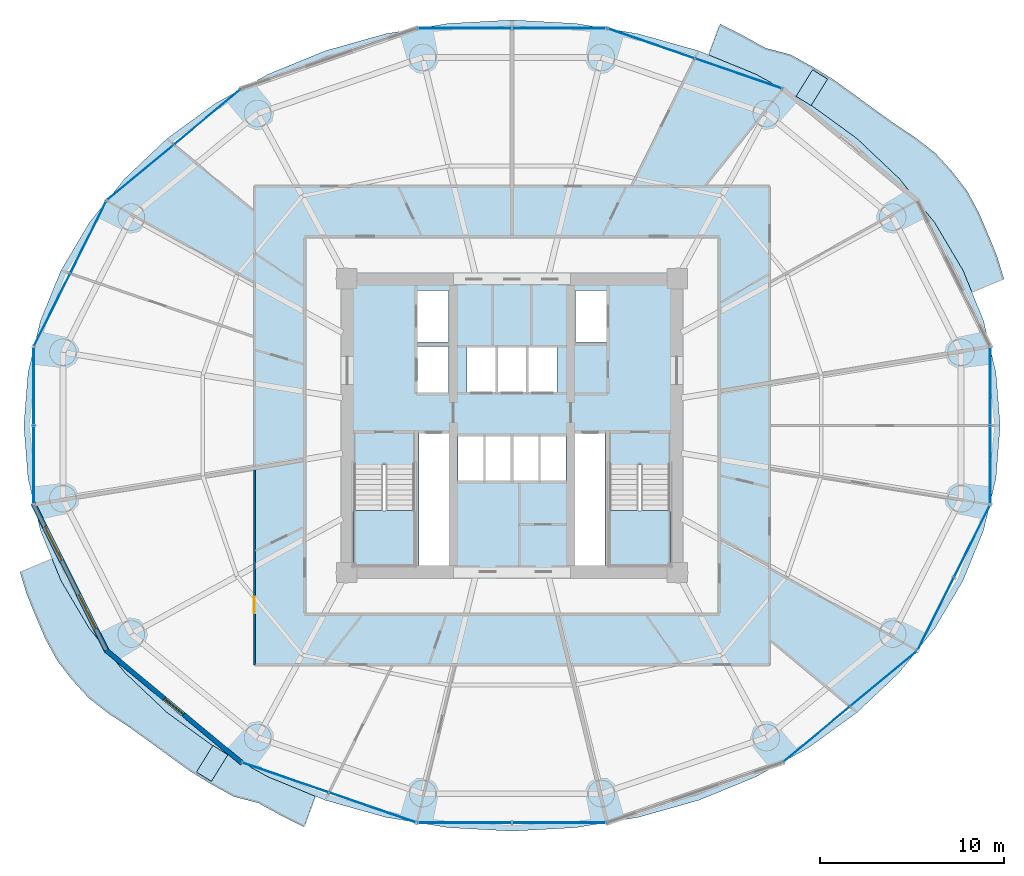
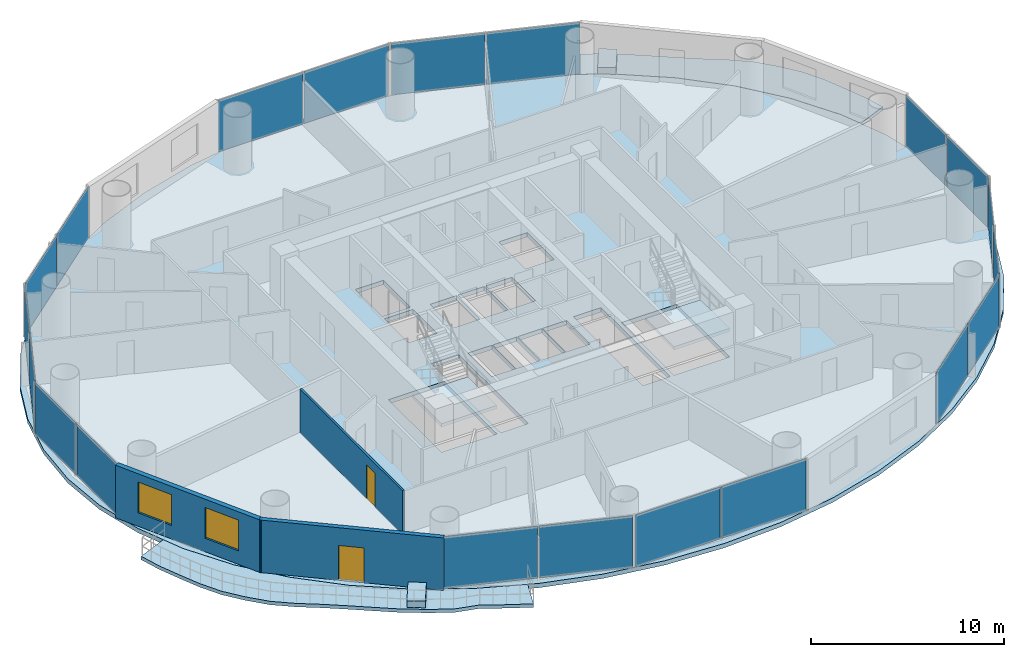
# One storey, part 21 of 29: 20 plates, 7 slabs, 3 walls, 2 doors, 2 windows, 4 openings, 12 elements without a shape of their own.
"""IFC4 building model written with IfcOpenShell, lengths in metres."""

import ifcopenshell
import ifcopenshell.guid

model = None  # the IFC model being written
_history = None  # IfcOwnerHistory: only IFC2X3 demands one
_inside = {}  # id of a spatial element -> (the spatial element, [elements in it])
_under = {}  # id of a project, library or spatial element -> (it, [spatial elements below it])
_declared = {}  # id of a project -> (the project, [libraries it declares])
_typed = {}  # id of a type object -> (the type object, [elements of that type])
_made_of = {}  # id of a material, layer set ... -> (it, [elements and type objects made of it])


def new_model(schema):
    """Start an empty IFC model of exactly this schema.

    Asked for "IFC4X3", IfcOpenShell would pick the latest addendum, in which some entities
    have other attributes; the version numbers below select the first issue.
    IFC2X3 requires an IfcOwnerHistory on every rooted entity: one is made here for all.
    """
    global model, _history
    if schema == "IFC4X3":
        model = ifcopenshell.file(schema_version=(4, 3, 0, 0))
    else:
        model = ifcopenshell.file(schema=schema)
    _inside.clear()
    _under.clear()
    _declared.clear()
    _typed.clear()
    _made_of.clear()
    _history = None
    if model.schema == "IFC2X3":
        org = make("IfcOrganization", Name="unknown")
        user = make(
            "IfcPersonAndOrganization",
            ThePerson=make("IfcPerson", FamilyName="unknown"),
            TheOrganization=org,
        )
        app = make(
            "IfcApplication",
            ApplicationDeveloper=org,
            Version="unknown",
            ApplicationFullName="unknown",
            ApplicationIdentifier="unknown",
        )
        _history = make(
            "IfcOwnerHistory",
            OwningUser=user,
            OwningApplication=app,
            ChangeAction="ADDED",
            CreationDate=0,
        )
    return model


def make(cls, **values):
    """One entity of the class cls with the attributes given. An attribute that is None is left unset."""
    return model.create_entity(
        cls, **{name: value for name, value in values.items() if value is not None}
    )


def rooted(cls, **values):
    """An entity with a GlobalId (a new one), such as an element, a storey or a relation."""
    return make(cls, GlobalId=ifcopenshell.guid.new(), OwnerHistory=_history, **values)


def si_unit(unit_type, name, prefix=None):
    """IfcSIUnit, for example si_unit("LENGTHUNIT", "METRE", prefix="MILLI")."""
    return make("IfcSIUnit", UnitType=unit_type, Prefix=prefix, Name=name)


def assignment(units):
    """IfcUnitAssignment: the units of a project."""
    return None if units is None else make("IfcUnitAssignment", Units=units)


def point(xyz):
    """IfcCartesianPoint."""
    return None if xyz is None else make("IfcCartesianPoint", Coordinates=xyz)


def direction(xyz):
    """IfcDirection."""
    return None if xyz is None else make("IfcDirection", DirectionRatios=xyz)


def frame(location, z_axis=None, x_axis=None):
    """IfcAxis2Placement3D, a coordinate frame: its origin and axes. An axis left out is left unset."""
    return make(
        "IfcAxis2Placement3D",
        Location=point(location),
        Axis=direction(z_axis),
        RefDirection=direction(x_axis),
    )


def frame_2d(location, x_axis=None):
    """IfcAxis2Placement2D, a coordinate frame in the plane: its origin and x axis."""
    return make(
        "IfcAxis2Placement2D", Location=point(location), RefDirection=direction(x_axis)
    )


def origin():
    """The frame at (0, 0, 0) with its axes left unset."""
    return frame((0.0, 0.0, 0.0))


def origin_2d():
    """The frame at (0, 0) in the plane with its x axis left unset."""
    return frame_2d((0.0, 0.0))


def place(relative_to, where):
    """IfcLocalPlacement: puts the frame where relative to a parent placement (None: the world)."""
    return make(
        "IfcLocalPlacement", PlacementRelTo=relative_to, RelativePlacement=where
    )


def context(
    kind, dimensions, precision=None, world=None, true_north=None, identifier=None
):
    """IfcGeometricRepresentationContext, for example the 3D "Model" context."""
    return make(
        "IfcGeometricRepresentationContext",
        ContextIdentifier=identifier,
        ContextType=kind,
        CoordinateSpaceDimension=dimensions,
        Precision=precision,
        WorldCoordinateSystem=world,
        TrueNorth=true_north,
    )


def subcontext(parent, identifier, kind, view, scale=None):
    """IfcGeometricRepresentationSubContext, for example "Body" below "Model"."""
    return make(
        "IfcGeometricRepresentationSubContext",
        ContextIdentifier=identifier,
        ContextType=kind,
        ParentContext=parent,
        TargetScale=scale,
        TargetView=view,
    )


def project(units=None, contexts=None):
    """IfcProject with its units and contexts."""
    return rooted(
        "IfcProject",
        Name="project",
        RepresentationContexts=contexts,
        UnitsInContext=assignment(units),
    )


def spatial(cls, under=None, at=None, **own):
    """A site, building, storey or space (cls), placed at a placement, below another one or the project."""
    s = rooted(cls, ObjectPlacement=at, **own)
    if under is not None:
        _under.setdefault(under.id(), (under, []))[1].append(s)
    return s


def polyline(points):
    """IfcPolyline through the points."""
    return make("IfcPolyline", Points=[point(p) for p in points])


def profile(cls, at=None, kind="AREA", **sizes):
    """A parametric profile (cls). Its sizes go by their IFC names, for example OverallWidth=200.0."""
    return make(cls, ProfileType=kind, Position=at, **sizes)


def rectangle(**sizes):
    """IfcRectangleProfileDef."""
    return profile("IfcRectangleProfileDef", **sizes)


def outline(outer, holes=None, kind="AREA"):
    """IfcArbitraryClosedProfileDef: a profile drawn as a closed curve; with holes, ...WithVoids."""
    if holes is None:
        return make("IfcArbitraryClosedProfileDef", ProfileType=kind, OuterCurve=outer)
    return make(
        "IfcArbitraryProfileDefWithVoids",
        ProfileType=kind,
        OuterCurve=outer,
        InnerCurves=holes,
    )


def extrude(swept, where, along, depth):
    """IfcExtrudedAreaSolid: the profile swept, set in the frame where, extruded along a direction by depth."""
    return make(
        "IfcExtrudedAreaSolid",
        SweptArea=swept,
        Position=where,
        ExtrudedDirection=direction(along),
        Depth=depth,
    )


def shape(context_of_items, identifier, shape_type, items):
    """IfcShapeRepresentation: the items that make up one representation, for example the "Body"."""
    return make(
        "IfcShapeRepresentation",
        ContextOfItems=context_of_items,
        RepresentationIdentifier=identifier,
        RepresentationType=shape_type,
        Items=items,
    )


def source(mapping_origin, context_of_items, identifier, shape_type, items):
    """IfcRepresentationMap: a shape defined once, which mapped items show again and again."""
    return make(
        "IfcRepresentationMap",
        MappingOrigin=mapping_origin,
        MappedRepresentation=shape(context_of_items, identifier, shape_type, items),
    )


def transform(
    local_origin,
    x_axis=None,
    y_axis=None,
    z_axis=None,
    scale=None,
    scale2=None,
    scale3=None,
    uniform=True,
):
    """IfcCartesianTransformationOperator3D, or its non-uniform kind. x_axis, y_axis, z_axis: its Axis1, 2, 3."""
    if uniform:
        return make(
            "IfcCartesianTransformationOperator3D",
            Axis1=direction(x_axis),
            Axis2=direction(y_axis),
            LocalOrigin=point(local_origin),
            Scale=scale,
            Axis3=direction(z_axis),
        )
    return make(
        "IfcCartesianTransformationOperator3DnonUniform",
        Axis1=direction(x_axis),
        Axis2=direction(y_axis),
        LocalOrigin=point(local_origin),
        Scale=scale,
        Axis3=direction(z_axis),
        Scale2=scale2,
        Scale3=scale3,
    )


def mapped(mapping_source, mapping_target):
    """IfcMappedItem: shows the shape of a source again, moved by a transform."""
    return make(
        "IfcMappedItem", MappingSource=mapping_source, MappingTarget=mapping_target
    )


def material(Name=None, Category=None):
    """IfcMaterial."""
    return make("IfcMaterial", Name=Name, Category=Category)


def layer(
    of_material, thickness, ventilated=None, Name=None, Category=None, Priority=None
):
    """IfcMaterialLayer: one layer of a wall or slab, of a material (None: an air gap)."""
    return make(
        "IfcMaterialLayer",
        Material=of_material,
        LayerThickness=thickness,
        IsVentilated=ventilated,
        Name=Name,
        Category=Category,
        Priority=Priority,
    )


def layer_set(layers, Name=None):
    """IfcMaterialLayerSet."""
    return make("IfcMaterialLayerSet", MaterialLayers=layers, LayerSetName=Name)


def made_of(thing, what):
    """Note that an element or type object is made of a material, layer set ...; save() writes the relation."""
    if what is not None:
        _made_of.setdefault(what.id(), (what, []))[1].append(thing)
    return thing


def type_object(cls, material=None, **own):
    """A type object (cls), such as IfcWallType, which elements share."""
    return made_of(rooted(cls, **own), material)


def element(
    cls,
    number,
    at=None,
    inside=None,
    cuts=None,
    type_object=None,
    material=None,
    context=None,
    identifier="Body",
    shape_type=None,
    held_by="IfcProductDefinitionShape",
    body=None,
    shapes=None,
    **own,
):
    """One element of the class cls, such as IfcWall. Its Tag is "e" and its number.

    at: its placement. inside: the storey or other place that contains it. cuts: it is an
    opening in that element (IfcRelVoidsElement). A single representation is given by context,
    identifier, shape_type and body (its items); several are given by shapes. held_by: the class
    of the entity that holds the representations. save() writes the other relations.
    """
    e = rooted(cls, Tag="e%d" % number, ObjectPlacement=at, **own)
    if body is not None:
        shapes = [shape(context, identifier, shape_type, body)]
    if shapes is not None:
        e.Representation = make(held_by, Representations=shapes)
    if inside is not None:
        _inside.setdefault(inside.id(), (inside, []))[1].append(e)
    if cuts is not None:
        rooted(
            "IfcRelVoidsElement", RelatingBuildingElement=cuts, RelatedOpeningElement=e
        )
    if type_object is not None:
        _typed.setdefault(type_object.id(), (type_object, []))[1].append(e)
    return made_of(e, material)


def fill(opening, filler):
    """IfcRelFillsElement: the door or window that sits in an opening."""
    return rooted(
        "IfcRelFillsElement",
        RelatingOpeningElement=opening,
        RelatedBuildingElement=filler,
    )


def aggregate(whole, parts):
    """IfcRelAggregates: a whole, such as a stair, and the parts it consists of."""
    return rooted("IfcRelAggregates", RelatingObject=whole, RelatedObjects=parts)


def save(model, path):
    """Write the relations noted so far, then the file.

    IfcRelAggregates (storeys below a building ...), IfcRelContainedInSpatialStructure (elements
    in a storey), IfcRelDefinesByType, IfcRelAssociatesMaterial and IfcRelDeclares: one each for
    every whole, place, type object, material and project.
    """
    for whole, parts in _under.values():
        aggregate(whole, parts)
    for where, things in _inside.values():
        rooted(
            "IfcRelContainedInSpatialStructure",
            RelatedElements=things,
            RelatingStructure=where,
        )
    for kind, things in _typed.values():
        rooted("IfcRelDefinesByType", RelatedObjects=things, RelatingType=kind)
    for what, things in _made_of.values():
        rooted("IfcRelAssociatesMaterial", RelatedObjects=things, RelatingMaterial=what)
    for by, libraries in _declared.values():
        rooted("IfcRelDeclares", RelatingContext=by, RelatedDefinitions=libraries)
    model.write(path)


model = new_model("IFC4")

# Units and contexts
model_context = context("Model", 3, precision=1e-05, world=origin(), true_north=direction((-0.2419218956, 0.970295726276)))
body_context = subcontext(model_context, "Body", "Model", "MODEL_VIEW")
ifc_project = project(units=[si_unit("LENGTHUNIT", "METRE"), si_unit("AREAUNIT", "SQUARE_METRE"), si_unit("VOLUMEUNIT", "CUBIC_METRE"), si_unit("PLANEANGLEUNIT", "RADIAN"), si_unit("MASSUNIT", "GRAM", prefix="KILO")], contexts=[model_context])

# Site, building, storey
site_placement = place(None, origin())
site = spatial("IfcSite", under=ifc_project, at=site_placement, CompositionType="ELEMENT")
building_placement = place(site_placement, origin())
building = spatial("IfcBuilding", under=site, at=building_placement, Name="Cobrevalo Terracotta Tower", CompositionType="ELEMENT")
storey_placement = place(building_placement, frame((0.0, 0.0, 79.800048828125)))
storey = spatial("IfcBuildingStorey", under=building, at=storey_placement, Name="L20", CompositionType="ELEMENT", Elevation=79.800048828125)

# Stair, slab
ifc_material_1 = material(Name="Concrete C50", Category="concrete")
stair_type = type_object("IfcStairType", Name="Core protected escape dogleg stair 1600", PredefinedType="HALF_TURN_STAIR", material=ifc_material_1)
stair_1_placement = place(storey_placement, origin())
stair_1 = element("IfcStair", 1, at=stair_1_placement, inside=storey, type_object=stair_type, Name="L20 Protected exit stair ST-1", PredefinedType="HALF_TURN_STAIR")
ifc_layer_1 = layer(ifc_material_1, 0.199951171875)
ifc_layer_set_1 = layer_set([ifc_layer_1], Name="Concrete C50")
slab_type_1 = type_object("IfcSlabType", Name="Reinforced Concrete Stair Landing 200", PredefinedType="LANDING", material=ifc_layer_set_1)
slab_1_placement = place(storey_placement, frame((0.0, 0.0, 1.599853515625)))
slab_1 = element("IfcSlab", 2, at=slab_1_placement, type_object=slab_type_1, Name="ST-1 landing 1", PredefinedType="LANDING", context=body_context, shape_type="SweptSolid", body=[
    extrude(outline(polyline([(29.375, 22.179931640625), (29.375, 19.175048828125), (32.695068359375, 19.175048828125), (32.695068359375, 22.179931640625), (29.375, 22.179931640625)])), origin(), (0.0, 0.0, 1.0), 0.2001953125),
])
aggregate(stair_1, [slab_1])

stair_2_placement = place(storey_placement, origin())
stair_2 = element("IfcStair", 3, at=stair_2_placement, inside=storey, type_object=stair_type, Name="L20 Protected exit stair ST-2", PredefinedType="HALF_TURN_STAIR")
slab_2_placement = place(storey_placement, frame((0.0, 0.0, 1.599853515625)))
slab_2 = element("IfcSlab", 4, at=slab_2_placement, type_object=slab_type_1, Name="ST-2 landing 1", PredefinedType="LANDING", context=body_context, shape_type="SweptSolid", body=[
    extrude(outline(polyline([(43.304931640625, 22.179931640625), (43.304931640625, 19.175048828125), (46.625, 19.175048828125), (46.625, 22.179931640625), (43.304931640625, 22.179931640625)])), origin(), (0.0, 0.0, 1.0), 0.2001953125),
])
aggregate(stair_2, [slab_2])

# Slabs
ifc_material_2 = material(Name="Concrete C45", Category="concrete")
ifc_layer_2 = layer(ifc_material_2, 0.219970703125)
ifc_layer_set_2 = layer_set([ifc_layer_2], Name="Concrete C45")
slab_type_2 = type_object("IfcSlabType", Name="Spiralling cantilevered balcony lobe slab 220 mm", PredefinedType="FLOOR", material=ifc_layer_set_2)
slab_3_placement = place(storey_placement, frame((0.0, 0.0, -0.219970703125)))
element("IfcSlab", 5, at=slab_3_placement, inside=storey, type_object=slab_type_2, Name="L20 spiralling arc balcony slab lobe 1", PredefinedType="FLOOR", context=body_context, shape_type="SweptSolid", body=[
    extrude(outline(polyline([(64.810302734375, 34.783447265625), (64.434326171875, 36.0087890625), (63.944091796875, 37.216064453125), (63.42236328125, 38.4296875), (62.788818359375, 39.59619140625), (61.968017578125, 40.658935546875), (61.063720703125, 41.6474609375), (59.9873046875, 42.48779296875), (58.84716796875, 43.242919921875), (57.75341796875, 44.02490234375), (56.656005859375, 44.82763671875), (55.55712890625, 45.625732421875), (54.38525390625, 46.341552734375), (53.176025390625, 47.01318359375), (51.816162109375, 47.370361328125), (50.592529296875, 48.04833984375), (49.33642578125, 48.677490234375), (48.720947265625, 46.998046875), (51.301025390625, 45.94091796875), (54.1943359375, 44.334716796875), (56.810546875, 42.428466796875), (59.104736328125, 40.2548828125), (61.0380859375, 37.85107421875), (62.5771484375, 35.258056640625), (63.069091796875, 34.0537109375), (64.810302734375, 34.783447265625)])), origin(), (0.0, 0.0, 1.0), 0.219970703125),
])
slab_4_placement = place(storey_placement, frame((0.0, 0.0, -0.219970703125)))
element("IfcSlab", 6, at=slab_4_placement, inside=storey, type_object=slab_type_2, Name="L20 spiralling arc balcony slab lobe 2", PredefinedType="FLOOR", context=body_context, shape_type="SweptSolid", body=[
    extrude(outline(polyline([(11.189697265625, 18.816650390625), (11.565673828125, 17.591064453125), (12.055908203125, 16.384033203125), (12.57763671875, 15.17041015625), (13.211181640625, 14.003662109375), (14.031982421875, 12.94091796875), (14.936279296875, 11.952392578125), (16.0126953125, 11.1123046875), (17.15283203125, 10.357177734375), (18.24658203125, 9.5751953125), (19.343994140625, 8.7724609375), (20.44287109375, 7.97412109375), (21.61474609375, 7.258544921875), (22.823974609375, 6.586669921875), (24.183837890625, 6.229736328125), (25.407470703125, 5.5517578125), (26.66357421875, 4.92236328125), (27.279052734375, 6.60205078125), (24.698974609375, 7.6591796875), (21.8056640625, 9.265380859375), (19.189453125, 11.171630859375), (16.895263671875, 13.34521484375), (14.9619140625, 15.7490234375), (13.4228515625, 18.342041015625), (12.930908203125, 19.54638671875), (11.189697265625, 18.816650390625)])), origin(), (0.0, 0.0, 1.0), 0.219970703125),
])
ifc_material_3 = material(Name="Precast concrete C45", Category="concrete")
ifc_layer_3 = layer(ifc_material_3, 0.419921875)
ifc_layer_set_3 = layer_set([ifc_layer_3], Name="Precast concrete C45")
slab_type_3 = type_object("IfcSlabType", Name="Structural tree planter trough base 420 mm", PredefinedType="USERDEFINED", material=ifc_layer_set_3)
slab_5_placement = place(storey_placement, origin())
element("IfcSlab", 7, at=slab_5_placement, inside=storey, type_object=slab_type_3, Name="L20 structural tree planter trough 1", ObjectType="PLANTER", PredefinedType="USERDEFINED", context=body_context, shape_type="SweptSolid", body=[
    extrude(outline(polyline([(54.29833984375, 44.235107421875), (55.19384765625, 45.679931640625), (54.3779296875, 46.185791015625), (53.482421875, 44.740966796875), (54.29833984375, 44.235107421875)])), origin(), (0.0, 0.0, 1.0), 0.419921875),
])
slab_6_placement = place(storey_placement, origin())
element("IfcSlab", 8, at=slab_6_placement, inside=storey, type_object=slab_type_3, Name="L20 structural tree planter trough 2", ObjectType="PLANTER", PredefinedType="USERDEFINED", context=body_context, shape_type="SweptSolid", body=[
    extrude(outline(polyline([(21.70166015625, 9.364990234375), (20.80615234375, 7.919921875), (21.6220703125, 7.414306640625), (22.517578125, 8.859130859375), (21.70166015625, 9.364990234375)])), origin(), (0.0, 0.0, 1.0), 0.419921875),
])
ifc_layer_4 = layer(ifc_material_1, 0.27490234375)
ifc_layer_set_4 = layer_set([ifc_layer_4], Name="Concrete C50")
slab_type_4 = type_object("IfcSlabType", Name="Zone Z2 elliptical floor plate 275 mm", PredefinedType="FLOOR", material=ifc_layer_set_4)
slab_7_placement = place(storey_placement, frame((0.0, 0.0, -0.275146484375)))
element("IfcSlab", 9, at=slab_7_placement, inside=storey, type_object=slab_type_4, Name="L20 indoor elliptical floor slab", PredefinedType="FLOOR", context=body_context, shape_type="SweptSolid", body=[
    extrude(outline(polyline([(64.372314453125, 23.915283203125), (63.693603515625, 21.080078125), (62.5751953125, 18.3427734375), (61.036376953125, 15.75), (59.103271484375, 13.346435546875), (56.80908203125, 11.1728515625), (54.193115234375, 9.266845703125), (51.300048828125, 7.660888671875), (48.179443359375, 6.38232421875), (44.884521484375, 5.453125), (41.471923828125, 4.88916015625), (38.0, 4.699951171875), (34.528076171875, 4.88916015625), (31.115478515625, 5.453125), (27.820556640625, 6.38232421875), (24.699951171875, 7.660888671875), (21.806884765625, 9.266845703125), (19.19091796875, 11.1728515625), (16.896728515625, 13.346435546875), (14.963623046875, 15.75), (13.4248046875, 18.3427734375), (12.306396484375, 21.080078125), (11.627685546875, 23.915283203125), (11.39990234375, 26.800048828125), (11.627685546875, 29.6845703125), (12.306396484375, 32.52001953125), (13.4248046875, 35.25732421875), (14.963623046875, 37.85009765625), (16.896728515625, 40.253662109375), (19.19091796875, 42.427001953125), (21.806884765625, 44.3330078125), (24.699951171875, 45.939208984375), (27.820556640625, 47.2177734375), (31.115478515625, 48.14697265625), (34.528076171875, 48.7109375), (38.0, 48.89990234375), (41.471923828125, 48.7109375), (44.884521484375, 48.14697265625), (48.179443359375, 47.2177734375), (51.300048828125, 45.939208984375), (54.193115234375, 44.3330078125), (56.80908203125, 42.427001953125), (59.103271484375, 40.253662109375), (61.036376953125, 37.85009765625), (62.5751953125, 35.25732421875), (63.693603515625, 32.52001953125), (64.372314453125, 29.6845703125), (64.60009765625, 26.800048828125), (64.372314453125, 23.915283203125)]), holes=[polyline([(32.695068359375, 19.175048828125), (32.695068359375, 24.659912109375), (29.375, 24.659912109375), (29.375, 19.175048828125), (32.695068359375, 19.175048828125)]), polyline([(34.574951171875, 19.175048828125), (34.574951171875, 26.360107421875), (32.919921875, 26.360107421875), (32.919921875, 19.175048828125), (34.574951171875, 19.175048828125)]), polyline([(36.47998046875, 23.800048828125), (36.47998046875, 26.25), (35.050048828125, 26.25), (35.050048828125, 23.800048828125), (36.47998046875, 23.800048828125)]), polyline([(37.9599609375, 23.800048828125), (37.9599609375, 26.25), (36.530029296875, 26.25), (36.530029296875, 23.800048828125), (37.9599609375, 23.800048828125)]), polyline([(37.1201171875, 28.60009765625), (37.1201171875, 31.050048828125), (35.550048828125, 31.050048828125), (35.550048828125, 28.60009765625), (37.1201171875, 28.60009765625)]), polyline([(34.550048828125, 28.60009765625), (34.550048828125, 31.10009765625), (32.85009765625, 31.10009765625), (32.85009765625, 28.60009765625), (34.550048828125, 28.60009765625)]), polyline([(34.550048828125, 31.35009765625), (34.550048828125, 34.14990234375), (32.85009765625, 34.14990234375), (32.85009765625, 31.35009765625), (34.550048828125, 31.35009765625)]), polyline([(46.625, 19.175048828125), (46.625, 24.659912109375), (43.304931640625, 24.659912109375), (43.304931640625, 19.175048828125), (46.625, 19.175048828125)]), polyline([(43.080078125, 19.175048828125), (43.080078125, 26.360107421875), (41.425048828125, 26.360107421875), (41.425048828125, 19.175048828125), (43.080078125, 19.175048828125)]), polyline([(39.469970703125, 23.800048828125), (39.469970703125, 26.25), (38.0400390625, 26.25), (38.0400390625, 23.800048828125), (39.469970703125, 23.800048828125)]), polyline([(40.949951171875, 23.800048828125), (40.949951171875, 26.25), (39.52001953125, 26.25), (39.52001953125, 23.800048828125), (40.949951171875, 23.800048828125)]), polyline([(38.780029296875, 28.60009765625), (38.780029296875, 31.050048828125), (37.219970703125, 31.050048828125), (37.219970703125, 28.60009765625), (38.780029296875, 28.60009765625)]), polyline([(40.449951171875, 28.60009765625), (40.449951171875, 31.050048828125), (38.8798828125, 31.050048828125), (38.8798828125, 28.60009765625), (40.449951171875, 28.60009765625)]), polyline([(43.14990234375, 31.35009765625), (43.14990234375, 34.14990234375), (41.449951171875, 34.14990234375), (41.449951171875, 31.35009765625), (43.14990234375, 31.35009765625)])]), origin(), (0.0, 0.0, 1.0), 0.275146484375),
])

# Curtain wall, plates
ifc_material_4 = material(Name="Anodized aluminium", Category="aluminium")
curtain_wall_type = type_object("IfcCurtainWallType", Name="Lower-tower unitised acoustic low-E curtain wall CW-U1", PredefinedType="NOTDEFINED", material=ifc_material_4)
curtain_wall_1_placement = place(storey_placement, origin())
curtain_wall_1 = element("IfcCurtainWall", 10, at=curtain_wall_1_placement, inside=storey, type_object=curtain_wall_type, Name="L20 curtain wall CW-L20-S03", PredefinedType="NOTDEFINED")
ifc_material_5 = material(Name="Solar-control low-E double glazing", Category="glass")
ifc_layer_5 = layer(ifc_material_5, 0.028076171875)
ifc_layer_set_5 = layer_set([ifc_layer_5], Name="Solar-control low-E double glazing")
plate_type = type_object("IfcPlateType", Name="Tower solar-control low-E vision glass panel 28 mm", PredefinedType="CURTAIN_PANEL", material=ifc_layer_set_5)
shared_shape_1 = source(origin(), body_context, "Body", "SweptSolid", [
    extrude(rectangle(XDim=4.944580078125, YDim=0.035888671875, at=origin_2d()), origin(), (0.0, 0.0, 1.0), 3.2451171875),
])
plate_1_placement = place(storey_placement, frame((50.34814453125, 45.98095703125, 0.039794921875), z_axis=(0.0, 0.0, 1.0), x_axis=(-0.945596395206, 0.325342062104, 0.0)))
plate_1 = element("IfcPlate", 11, at=plate_1_placement, type_object=plate_type, Name="CW-L20-S03 glazing panel B01", PredefinedType="CURTAIN_PANEL", context=body_context, shape_type="MappedRepresentation", body=[
    mapped(shared_shape_1, transform((0.0, 0.0, 0.0), scale=1.0)),
])
plate_2_placement = place(storey_placement, frame((45.596923828125, 47.615478515625, 0.039794921875), z_axis=(0.0, 0.0, 1.0), x_axis=(-0.945596395206, 0.325342062104, 0.0)))
plate_2 = element("IfcPlate", 12, at=plate_2_placement, type_object=plate_type, Name="CW-L20-S03 glazing panel B02", PredefinedType="CURTAIN_PANEL", context=body_context, shape_type="MappedRepresentation", body=[
    mapped(shared_shape_1, transform((0.0, 0.0, 0.0), scale=1.0)),
])
aggregate(curtain_wall_1, [plate_1, plate_2])

curtain_wall_2_placement = place(storey_placement, origin())
curtain_wall_2 = element("IfcCurtainWall", 13, at=curtain_wall_2_placement, inside=storey, type_object=curtain_wall_type, Name="L20 curtain wall CW-L20-S11", PredefinedType="NOTDEFINED")
plate_3_placement = place(storey_placement, frame((25.65185546875, 7.619140625, 0.039794921875), z_axis=(0.0, 0.0, 1.0), x_axis=(0.945596395206, -0.325342062104, 0.0)))
plate_3 = element("IfcPlate", 14, at=plate_3_placement, type_object=plate_type, Name="CW-L20-S11 glazing panel B01", PredefinedType="CURTAIN_PANEL", context=body_context, shape_type="MappedRepresentation", body=[
    mapped(shared_shape_1, transform((0.0, 0.0, 0.0), scale=1.0)),
])
plate_4_placement = place(storey_placement, frame((30.403076171875, 5.984375, 0.039794921875), z_axis=(0.0, 0.0, 1.0), x_axis=(0.945596395206, -0.325342062104, 0.0)))
plate_4 = element("IfcPlate", 15, at=plate_4_placement, type_object=plate_type, Name="CW-L20-S11 glazing panel B02", PredefinedType="CURTAIN_PANEL", context=body_context, shape_type="MappedRepresentation", body=[
    mapped(shared_shape_1, transform((0.0, 0.0, 0.0), scale=1.0)),
])
aggregate(curtain_wall_2, [plate_3, plate_4])

curtain_wall_3_placement = place(storey_placement, origin())
curtain_wall_3 = element("IfcCurtainWall", 16, at=curtain_wall_3_placement, inside=storey, type_object=curtain_wall_type, Name="L20 curtain wall CW-L20-S04", PredefinedType="NOTDEFINED")
shared_shape_2 = source(origin(), body_context, "Body", "SweptSolid", [
    extrude(rectangle(XDim=5.0634765625, YDim=0.035888671875, at=origin_2d()), origin(), (0.0, 0.0, 1.0), 3.2451171875),
])
plate_5_placement = place(storey_placement, frame((40.57177734375, 48.446044921875, 0.039794921875), z_axis=(0.0, 0.0, 1.0), x_axis=(-1.0, 0.0, 0.0)))
plate_5 = element("IfcPlate", 17, at=plate_5_placement, type_object=plate_type, Name="CW-L20-S04 glazing panel B01", PredefinedType="CURTAIN_PANEL", context=body_context, shape_type="MappedRepresentation", body=[
    mapped(shared_shape_2, transform((0.0, 0.0, 0.0), scale=1.0)),
])
plate_6_placement = place(storey_placement, frame((35.42822265625, 48.446044921875, 0.039794921875), z_axis=(0.0, 0.0, 1.0), x_axis=(-1.0, 0.0, 0.0)))
plate_6 = element("IfcPlate", 18, at=plate_6_placement, type_object=plate_type, Name="CW-L20-S04 glazing panel B02", PredefinedType="CURTAIN_PANEL", context=body_context, shape_type="MappedRepresentation", body=[
    mapped(shared_shape_2, transform((0.0, 0.0, 0.0), scale=1.0)),
])
aggregate(curtain_wall_3, [plate_5, plate_6])

curtain_wall_4_placement = place(storey_placement, origin())
curtain_wall_4 = element("IfcCurtainWall", 19, at=curtain_wall_4_placement, inside=storey, type_object=curtain_wall_type, Name="L20 curtain wall CW-L20-S12", PredefinedType="NOTDEFINED")
plate_7_placement = place(storey_placement, frame((35.42822265625, 5.154052734375, 0.039794921875), z_axis=(0.0, 0.0, 1.0), x_axis=(1.0, 0.0, 0.0)))
plate_7 = element("IfcPlate", 20, at=plate_7_placement, type_object=plate_type, Name="CW-L20-S12 glazing panel B01", PredefinedType="CURTAIN_PANEL", context=body_context, shape_type="MappedRepresentation", body=[
    mapped(shared_shape_2, transform((0.0, 0.0, 0.0), scale=1.0)),
])
plate_8_placement = place(storey_placement, frame((40.57177734375, 5.154052734375, 0.039794921875), z_axis=(0.0, 0.0, 1.0), x_axis=(1.0, 0.0, 0.0)))
plate_8 = element("IfcPlate", 21, at=plate_8_placement, type_object=plate_type, Name="CW-L20-S12 glazing panel B02", PredefinedType="CURTAIN_PANEL", context=body_context, shape_type="MappedRepresentation", body=[
    mapped(shared_shape_2, transform((0.0, 0.0, 0.0), scale=1.0)),
])
aggregate(curtain_wall_4, [plate_7, plate_8])

curtain_wall_5_placement = place(storey_placement, origin())
curtain_wall_5 = element("IfcCurtainWall", 22, at=curtain_wall_5_placement, inside=storey, type_object=curtain_wall_type, Name="L20 curtain wall CW-L20-S06", PredefinedType="NOTDEFINED")
shared_shape_3 = source(origin(), body_context, "Body", "SweptSolid", [
    extrude(rectangle(XDim=4.64501953125, YDim=0.035888671875, at=origin_2d()), origin(), (0.0, 0.0, 1.0), 3.2451171875),
])
plate_9_placement = place(storey_placement, frame((21.390380859375, 43.615478515625, 0.039794921875), z_axis=(0.0, 0.0, 1.0), x_axis=(-0.769241221277, -0.638958483384, 0.0)))
plate_9 = element("IfcPlate", 23, at=plate_9_placement, type_object=plate_type, Name="CW-L20-S06 glazing panel B01", PredefinedType="CURTAIN_PANEL", context=body_context, shape_type="MappedRepresentation", body=[
    mapped(shared_shape_3, transform((0.0, 0.0, 0.0), scale=1.0)),
])
plate_10_placement = place(storey_placement, frame((17.755859375, 40.596435546875, 0.039794921875), z_axis=(0.0, 0.0, 1.0), x_axis=(-0.769241221277, -0.638958483384, 0.0)))
plate_10 = element("IfcPlate", 24, at=plate_10_placement, type_object=plate_type, Name="CW-L20-S06 glazing panel B02", PredefinedType="CURTAIN_PANEL", context=body_context, shape_type="MappedRepresentation", body=[
    mapped(shared_shape_3, transform((0.0, 0.0, 0.0), scale=1.0)),
])
aggregate(curtain_wall_5, [plate_9, plate_10])

curtain_wall_6_placement = place(storey_placement, origin())
curtain_wall_6 = element("IfcCurtainWall", 25, at=curtain_wall_6_placement, inside=storey, type_object=curtain_wall_type, Name="L20 curtain wall CW-L20-S14", PredefinedType="NOTDEFINED")
plate_11_placement = place(storey_placement, frame((54.609619140625, 9.984619140625, 0.039794921875), z_axis=(0.0, 0.0, 1.0), x_axis=(0.769241221277, 0.638958483384, 0.0)))
plate_11 = element("IfcPlate", 26, at=plate_11_placement, type_object=plate_type, Name="CW-L20-S14 glazing panel B01", PredefinedType="CURTAIN_PANEL", context=body_context, shape_type="MappedRepresentation", body=[
    mapped(shared_shape_3, transform((0.0, 0.0, 0.0), scale=1.0)),
])
plate_12_placement = place(storey_placement, frame((58.244140625, 13.00341796875, 0.039794921875), z_axis=(0.0, 0.0, 1.0), x_axis=(0.769241221277, 0.638958483384, 0.0)))
plate_12 = element("IfcPlate", 27, at=plate_12_placement, type_object=plate_type, Name="CW-L20-S14 glazing panel B02", PredefinedType="CURTAIN_PANEL", context=body_context, shape_type="MappedRepresentation", body=[
    mapped(shared_shape_3, transform((0.0, 0.0, 0.0), scale=1.0)),
])
aggregate(curtain_wall_6, [plate_11, plate_12])

curtain_wall_7_placement = place(storey_placement, origin())
curtain_wall_7 = element("IfcCurtainWall", 28, at=curtain_wall_7_placement, inside=storey, type_object=curtain_wall_type, Name="L20 curtain wall CW-L20-S07", PredefinedType="NOTDEFINED")
shared_shape_4 = source(origin(), body_context, "Body", "SweptSolid", [
    extrude(rectangle(XDim=4.3251953125, YDim=0.035888671875, at=origin_2d()), origin(), (0.0, 0.0, 1.0), 3.2451171875),
])
plate_13_placement = place(storey_placement, frame((14.906982421875, 37.0546875, 0.039794921875), z_axis=(0.0, 0.0, 1.0), x_axis=(-0.446261852127, -0.894902430065, 0.0)))
plate_13 = element("IfcPlate", 29, at=plate_13_placement, type_object=plate_type, Name="CW-L20-S07 glazing panel B01", PredefinedType="CURTAIN_PANEL", context=body_context, shape_type="MappedRepresentation", body=[
    mapped(shared_shape_4, transform((0.0, 0.0, 0.0), scale=1.0)),
])
plate_14_placement = place(storey_placement, frame((12.94140625, 33.112548828125, 0.039794921875), z_axis=(0.0, 0.0, 1.0), x_axis=(-0.446261852127, -0.894902430065, 0.0)))
plate_14 = element("IfcPlate", 30, at=plate_14_placement, type_object=plate_type, Name="CW-L20-S07 glazing panel B02", PredefinedType="CURTAIN_PANEL", context=body_context, shape_type="MappedRepresentation", body=[
    mapped(shared_shape_4, transform((0.0, 0.0, 0.0), scale=1.0)),
])
aggregate(curtain_wall_7, [plate_13, plate_14])

curtain_wall_8_placement = place(storey_placement, origin())
curtain_wall_8 = element("IfcCurtainWall", 31, at=curtain_wall_8_placement, inside=storey, type_object=curtain_wall_type, Name="L20 curtain wall CW-L20-S15", PredefinedType="NOTDEFINED")
plate_15_placement = place(storey_placement, frame((61.093017578125, 16.54541015625, 0.039794921875), z_axis=(0.0, 0.0, 1.0), x_axis=(0.446261852127, 0.894902430065, 0.0)))
plate_15 = element("IfcPlate", 32, at=plate_15_placement, type_object=plate_type, Name="CW-L20-S15 glazing panel B01", PredefinedType="CURTAIN_PANEL", context=body_context, shape_type="MappedRepresentation", body=[
    mapped(shared_shape_4, transform((0.0, 0.0, 0.0), scale=1.0)),
])
plate_16_placement = place(storey_placement, frame((63.05859375, 20.487548828125, 0.039794921875), z_axis=(0.0, 0.0, 1.0), x_axis=(0.446261852127, 0.894902430065, 0.0)))
plate_16 = element("IfcPlate", 33, at=plate_16_placement, type_object=plate_type, Name="CW-L20-S15 glazing panel B02", PredefinedType="CURTAIN_PANEL", context=body_context, shape_type="MappedRepresentation", body=[
    mapped(shared_shape_4, transform((0.0, 0.0, 0.0), scale=1.0)),
])
aggregate(curtain_wall_8, [plate_15, plate_16])

curtain_wall_9_placement = place(storey_placement, origin())
curtain_wall_9 = element("IfcCurtainWall", 34, at=curtain_wall_9_placement, inside=storey, type_object=curtain_wall_type, Name="L20 curtain wall CW-L20-S08", PredefinedType="NOTDEFINED")
shared_shape_5 = source(origin(), body_context, "Body", "SweptSolid", [
    extrude(rectangle(XDim=4.185546875, YDim=0.035888671875, at=origin_2d()), origin(), (0.0, 0.0, 1.0), 3.2451171875),
])
plate_17_placement = place(storey_placement, frame((11.9404296875, 28.932861328125, 0.039794921875), z_axis=(0.0, 0.0, 1.0), x_axis=(0.0, -1.0, 0.0)))
plate_17 = element("IfcPlate", 35, at=plate_17_placement, type_object=plate_type, Name="CW-L20-S08 glazing panel B01", PredefinedType="CURTAIN_PANEL", context=body_context, shape_type="MappedRepresentation", body=[
    mapped(shared_shape_5, transform((0.0, 0.0, 0.0), scale=1.0)),
])
plate_18_placement = place(storey_placement, frame((11.9404296875, 24.667236328125, 0.039794921875), z_axis=(0.0, 0.0, 1.0), x_axis=(0.0, -1.0, 0.0)))
plate_18 = element("IfcPlate", 36, at=plate_18_placement, type_object=plate_type, Name="CW-L20-S08 glazing panel B02", PredefinedType="CURTAIN_PANEL", context=body_context, shape_type="MappedRepresentation", body=[
    mapped(shared_shape_5, transform((0.0, 0.0, 0.0), scale=1.0)),
])
aggregate(curtain_wall_9, [plate_17, plate_18])

curtain_wall_10_placement = place(storey_placement, origin())
curtain_wall_10 = element("IfcCurtainWall", 37, at=curtain_wall_10_placement, inside=storey, type_object=curtain_wall_type, Name="L20 curtain wall CW-L20-S16", PredefinedType="NOTDEFINED")
plate_19_placement = place(storey_placement, frame((64.0595703125, 24.667236328125, 0.039794921875), z_axis=(0.0, 0.0, 1.0), x_axis=(0.0, 1.0, 0.0)))
plate_19 = element("IfcPlate", 38, at=plate_19_placement, type_object=plate_type, Name="CW-L20-S16 glazing panel B01", PredefinedType="CURTAIN_PANEL", context=body_context, shape_type="MappedRepresentation", body=[
    mapped(shared_shape_5, transform((0.0, 0.0, 0.0), scale=1.0)),
])
plate_20_placement = place(storey_placement, frame((64.0595703125, 28.932861328125, 0.039794921875), z_axis=(0.0, 0.0, 1.0), x_axis=(0.0, 1.0, 0.0)))
plate_20 = element("IfcPlate", 39, at=plate_20_placement, type_object=plate_type, Name="CW-L20-S16 glazing panel B02", PredefinedType="CURTAIN_PANEL", context=body_context, shape_type="MappedRepresentation", body=[
    mapped(shared_shape_5, transform((0.0, 0.0, 0.0), scale=1.0)),
])
aggregate(curtain_wall_10, [plate_19, plate_20])

# Wall, openings, windows
ifc_material_6 = material(Name="Autoclaved aerated concrete block", Category="concrete")
ifc_layer_6 = layer(ifc_material_6, 0.280029296875)
ifc_layer_set_6 = layer_set([ifc_layer_6], Name="Autoclaved aerated concrete block")
wall_type_1 = type_object("IfcWallType", Name="Insulated tower spandrel & pier wall 280 mm with terracotta rainscreen", PredefinedType="SOLIDWALL", material=ifc_layer_set_6)
wall_1_placement = place(storey_placement, frame((11.90478515625, 22.56591796875, 0.0), z_axis=(0.0, 0.0, 1.0), x_axis=(0.446274562077, -0.894896091869, 0.0)))
wall_1 = element("IfcWall", 40, at=wall_1_placement, inside=storey, type_object=wall_type_1, Name="L20 terracotta rainscreen pier wall S09", PredefinedType="SOLIDWALL", context=body_context, shape_type="SweptSolid", body=[
    extrude(rectangle(XDim=9.050048828125, YDim=0.280029296875, at=frame_2d((4.52490234375, 0.0))), origin(), (0.0, 0.0, 1.0), 3.324951171875),
])
opening_1_placement = place(wall_1_placement, frame((1.3935546875, 0.0, 0.85009765625)))
opening_1 = element("IfcOpeningElement", 41, at=opening_1_placement, cuts=wall_1, Name="Opening WN-10", PredefinedType="OPENING", context=body_context, shape_type="SweptSolid", body=[
    extrude(rectangle(XDim=2.10009765625, YDim=1.949951171875, at=frame_2d((1.050048828125, 0.97509765625))), frame((0.0, 0.14990234375, 0.0), z_axis=(0.0, -1.0, 0.0), x_axis=(1.0, 0.0, 0.0)), (0.0, 0.0, 1.0), 0.300048828125),
])
opening_2_placement = place(wall_1_placement, frame((5.556640625, 0.0, 0.85009765625)))
opening_2 = element("IfcOpeningElement", 42, at=opening_2_placement, cuts=wall_1, Name="Opening WN-10", PredefinedType="OPENING", context=body_context, shape_type="SweptSolid", body=[
    extrude(rectangle(XDim=2.10009765625, YDim=1.949951171875, at=frame_2d((1.050048828125, 0.97509765625))), frame((0.0, 0.14990234375, 0.0), z_axis=(0.0, -1.0, 0.0), x_axis=(1.0, 0.0, 0.0)), (0.0, 0.0, 1.0), 0.300048828125),
])
window_type = type_object("IfcWindowType", Name="Wide panoramic low-E aluminium window 2100x1950", PartitioningType="SINGLE_PANEL", PredefinedType="WINDOW", material=ifc_material_5)
shared_shape_6 = source(origin(), body_context, "Body", "SweptSolid", [
    extrude(rectangle(XDim=2.10009765625, YDim=1.949951171875, at=frame_2d((1.050048828125, 0.97509765625))), frame((0.0, 0.030029296875, 0.0), z_axis=(0.0, -1.0, 0.0), x_axis=(1.0, 0.0, 0.0)), (0.0, 0.0, 1.0), 0.06005859375),
])
window_1_placement = place(opening_1_placement, origin())
window_1 = element("IfcWindow", 43, at=window_1_placement, inside=storey, type_object=window_type, Name="L20 suite window S09A", OverallHeight=1.949951171875, OverallWidth=2.10009765625, PartitioningType="SINGLE_PANEL", PredefinedType="WINDOW", context=body_context, shape_type="MappedRepresentation", body=[
    mapped(shared_shape_6, transform((0.0, 0.0, 0.0), scale=1.0)),
])
fill(opening_1, window_1)
window_2_placement = place(opening_2_placement, origin())
window_2 = element("IfcWindow", 44, at=window_2_placement, inside=storey, type_object=window_type, Name="L20 suite window S09B", OverallHeight=1.949951171875, OverallWidth=2.10009765625, PartitioningType="SINGLE_PANEL", PredefinedType="WINDOW", context=body_context, shape_type="MappedRepresentation", body=[
    mapped(shared_shape_6, transform((0.0, 0.0, 0.0), scale=1.0)),
])
fill(opening_2, window_2)

# Wall, opening, door
ifc_layer_7 = layer(ifc_material_6, 0.260009765625)
ifc_layer_set_7 = layer_set([ifc_layer_7], Name="Autoclaved aerated concrete block")
wall_type_2 = type_object("IfcWallType", Name="Recessed balcony loggia insulated exterior wall 260 mm", PredefinedType="SOLIDWALL", material=ifc_layer_set_7)
wall_2_placement = place(storey_placement, frame((15.84619140625, 14.589599609375, 0.0), z_axis=(0.0, 0.0, 1.0), x_axis=(0.769254958887, -0.638941944333, 0.0)))
wall_2 = element("IfcWall", 45, at=wall_2_placement, inside=storey, type_object=wall_type_2, Name="L20 balcony loggia wall S10", PredefinedType="SOLIDWALL", context=body_context, shape_type="SweptSolid", body=[
    extrude(rectangle(XDim=9.689697265625, YDim=0.260009765625, at=frame_2d((4.8447265625, 0.0))), origin(), (0.0, 0.0, 1.0), 3.324951171875),
])
opening_3_placement = place(wall_2_placement, frame((4.169921875, 0.0, 0.0)))
opening_3 = element("IfcOpeningElement", 46, at=opening_3_placement, cuts=wall_2, Name="Opening ED-05", PredefinedType="OPENING", context=body_context, shape_type="SweptSolid", body=[
    extrude(rectangle(XDim=1.35009765625, YDim=2.199951171875, at=frame_2d((0.675048828125, 1.10009765625))), frame((0.0, 0.14013671875, 0.0), z_axis=(0.0, -1.0, 0.0), x_axis=(1.0, 0.0, 0.0)), (0.0, 0.0, 1.0), 0.280029296875),
])
ifc_material_7 = material(Name="Anodized aluminium and laminated glass", Category="aluminium")
door_type_1 = type_object("IfcDoorType", Name="Suite balcony acoustic glazed terrace door 1350x2200", OperationType="NOTDEFINED", PredefinedType="DOOR", material=ifc_material_7)
shared_shape_7 = source(origin(), body_context, "Body", "SweptSolid", [
    extrude(rectangle(XDim=1.35009765625, YDim=2.199951171875, at=frame_2d((0.675048828125, 1.10009765625))), frame((0.0, 0.02490234375, 0.0), z_axis=(0.0, -1.0, 0.0), x_axis=(1.0, 0.0, 0.0)), (0.0, 0.0, 1.0), 0.050048828125),
])
door_1_placement = place(opening_3_placement, frame((1.35009765625, 0.0, 0.0), z_axis=(0.0, 0.0, 1.0), x_axis=(-1.0, 0.0, 0.0)))
door_1 = element("IfcDoor", 47, at=door_1_placement, inside=storey, type_object=door_type_1, Name="L20 glazed balcony terrace door 2", OperationType="SINGLE_SWING_RIGHT", OverallHeight=2.199951171875, OverallWidth=1.35009765625, PredefinedType="DOOR", context=body_context, shape_type="MappedRepresentation", body=[
    mapped(shared_shape_7, transform((0.0, 0.0, 0.0), scale=1.0)),
])
fill(opening_3, door_1)

ifc_material_8 = material(Name="Gypsum board on steel stud", Category="steel")
ifc_layer_8 = layer(ifc_material_8, 0.1201171875)
ifc_layer_set_8 = layer_set([ifc_layer_8], Name="Gypsum board on steel stud")
wall_type_3 = type_object("IfcWallType", Name="Residential internal acoustic stud partition 120 mm", PredefinedType="PARTITIONING", material=ifc_layer_set_8)
wall_3_placement = place(storey_placement, frame((23.965087890625, 13.764892578125, 0.0), z_axis=(0.0, 0.0, 1.0), x_axis=(0.0, 1.0, 0.0)))
wall_3 = element("IfcWall", 48, at=wall_3_placement, inside=storey, type_object=wall_type_3, Name="L20 interior partition IW-L20-U3-RING1_0", PredefinedType="PARTITIONING", context=body_context, shape_type="SweptSolid", body=[
    extrude(rectangle(XDim=10.61376953125, YDim=0.1201171875, at=frame_2d((5.306884765625, 0.0))), origin(), (0.0, 0.0, 1.0), 2.766845703125),
])
opening_4_placement = place(wall_3_placement, frame((2.814697265625, 0.0, 0.0)))
opening_4 = element("IfcOpeningElement", 49, at=opening_4_placement, cuts=wall_3, Name="Opening ID-12", PredefinedType="OPENING", context=body_context, shape_type="SweptSolid", body=[
    extrude(rectangle(XDim=0.89990234375, YDim=2.14990234375, at=frame_2d((0.449951171875, 1.074951171875))), frame((0.0, 0.070068359375, 0.0), z_axis=(0.0, -1.0, 0.0), x_axis=(1.0, 0.0, 0.0)), (0.0, 0.0, 1.0), 0.14013671875),
])
ifc_material_9 = material(Name="Engineered timber", Category="wood")
door_type_2 = type_object("IfcDoorType", Name="Internal residence & suite timber door 900x2150", OperationType="NOTDEFINED", PredefinedType="DOOR", material=ifc_material_9)
shared_shape_8 = source(origin(), body_context, "Body", "SweptSolid", [
    extrude(rectangle(XDim=0.89990234375, YDim=2.14990234375, at=frame_2d((0.449951171875, 1.074951171875))), frame((0.0, 0.02490234375, 0.0), z_axis=(0.0, -1.0, 0.0), x_axis=(1.0, 0.0, 0.0)), (0.0, 0.0, 1.0), 0.050048828125),
])
door_2_placement = place(opening_4_placement, origin())
door_2 = element("IfcDoor", 50, at=door_2_placement, inside=storey, type_object=door_type_2, Name="Flat L20C Penthouse Living and Dining Room internal door", OperationType="SINGLE_SWING_LEFT", OverallHeight=2.14990234375, OverallWidth=0.89990234375, PredefinedType="DOOR", context=body_context, shape_type="MappedRepresentation", body=[
    mapped(shared_shape_8, transform((0.0, 0.0, 0.0), scale=1.0)),
])
fill(opening_4, door_2)

save(model, "model.ifc")
